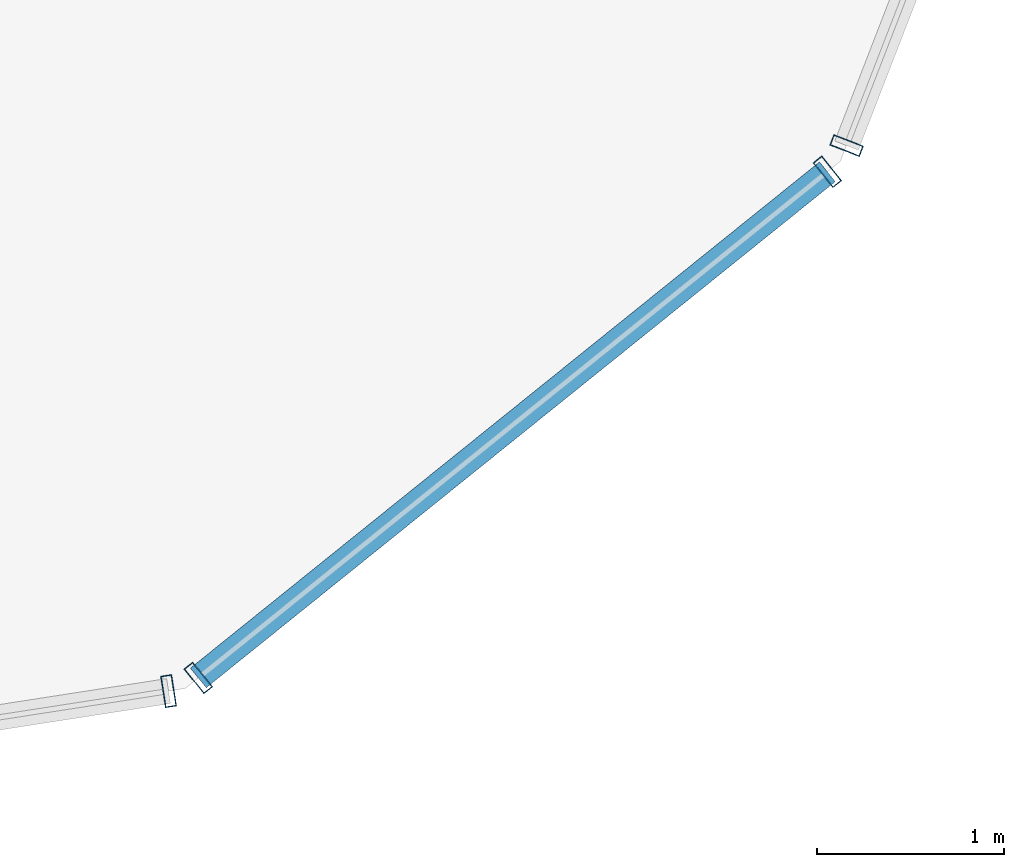
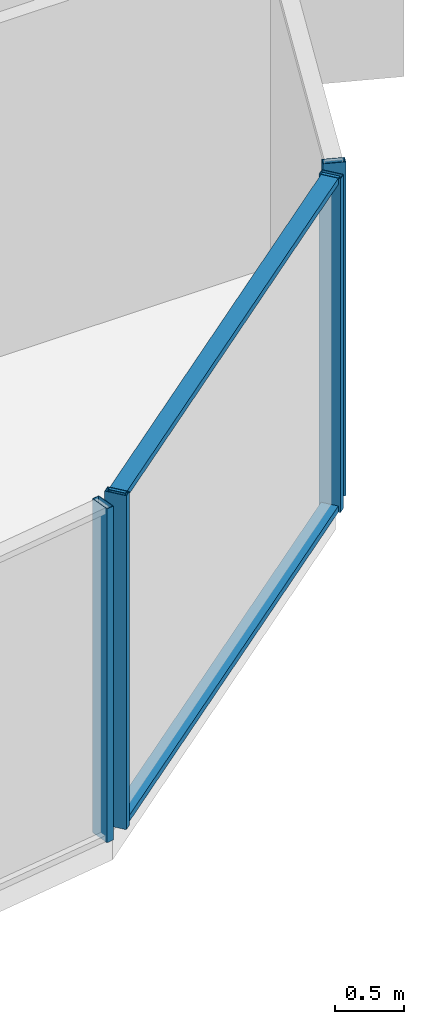
# One storey, part 14 of 37: 6 members, 3 elements without a shape of their own.
"""IFC4 building model written with IfcOpenShell, lengths in metres."""

from ifc_helpers import new_model, si_unit, direction, frame, origin, origin_2d, place, context, subcontext, project, spatial, hollow_rectangle, extrude, source, transform, mapped, material, layer, layer_set, material_profile, profile_set, type_object, element, aggregate, save


model = new_model("IFC4")

# Units and contexts
model_context = context("Model", 3, precision=1e-05, world=origin(), true_north=direction((0.0, 1.0)))
body_context = subcontext(model_context, "Body", "Model", "MODEL_VIEW")
ifc_project = project(units=[si_unit("LENGTHUNIT", "METRE"), si_unit("AREAUNIT", "SQUARE_METRE"), si_unit("VOLUMEUNIT", "CUBIC_METRE"), si_unit("PLANEANGLEUNIT", "RADIAN"), si_unit("MASSUNIT", "GRAM", prefix="KILO")], contexts=[model_context])

# Site, building, storey
site_placement = place(None, origin())
site = spatial("IfcSite", under=ifc_project, at=site_placement, CompositionType="ELEMENT")
building_placement = place(site_placement, origin())
building = spatial("IfcBuilding", under=site, at=building_placement, Name="Veraguas Prism Commons", CompositionType="ELEMENT")
storey_placement = place(building_placement, frame((0.0, 0.0, 53.300048828125)))
storey = spatial("IfcBuildingStorey", under=building, at=storey_placement, Name="L14", CompositionType="ELEMENT", Elevation=53.300048828125)

# Curtain wall, members
ifc_material = material(Name="Anodised aluminium EN AW-6063 T6", Category="aluminium")
ifc_layer = layer(ifc_material, 0.169921875, Name="Unitised Flush Curtain Wall Zone 1", Category="aluminium")
ifc_layer_set = layer_set([ifc_layer], Name="Anodised aluminium EN AW-6063 T6")
curtain_wall_type = type_object("IfcCurtainWallType", Name="Unitised Flush Curtain Wall Zone 1", PredefinedType="NOTDEFINED", material=ifc_layer_set)
curtain_wall_1_placement = place(storey_placement, origin())
curtain_wall_1 = element("IfcCurtainWall", 1, at=curtain_wall_1_placement, inside=storey, type_object=curtain_wall_type, Name="Chamfer Curtain Wall L14-C6", PredefinedType="NOTDEFINED")
ifc_material_profile_1 = material_profile(ifc_material, hollow_rectangle(XDim=0.054931640625, YDim=0.135009765625, WallThickness=0.0029296875, at=origin_2d()), Name="AL55X135X3")
ifc_profile_set_1 = profile_set([ifc_material_profile_1], Name="Anodised aluminium EN AW-6063 T6")
member_type_1 = type_object("IfcMemberType", Name="Curtain Wall Transom Standard AL 55x135x3", PredefinedType="USERDEFINED", material=ifc_profile_set_1)
shared_shape_1 = source(origin(), body_context, "Body", "SweptSolid", [
    extrude(hollow_rectangle(XDim=0.054931640625, YDim=0.135009765625, WallThickness=0.0029296875, at=origin_2d()), origin(), (0.0, 0.0, 1.0), 4.31982421875),
])
member_1_placement = place(storey_placement, frame((36.5478515625, 4.959228515625, 0.02734375), z_axis=(0.779123439027, 0.626870534288, 0.0), x_axis=(0.0, 0.0, 1.0)))
member_1 = element("IfcMember", 2, at=member_1_placement, type_object=member_type_1, Name="CW-Z1 Transom 1", ObjectType="TRANSOM", PredefinedType="USERDEFINED", context=body_context, shape_type="MappedRepresentation", body=[
    mapped(shared_shape_1, transform((0.0, 0.0, 0.0), scale=1.0)),
])
member_2_placement = place(storey_placement, frame((36.5478515625, 4.959228515625, 2.9423828125), z_axis=(0.779123439027, 0.626870534288, 0.0), x_axis=(0.0, 0.0, 1.0)))
member_2 = element("IfcMember", 3, at=member_2_placement, type_object=member_type_1, Name="CW-Z1 Transom 2", ObjectType="TRANSOM", PredefinedType="USERDEFINED", context=body_context, shape_type="MappedRepresentation", body=[
    mapped(shared_shape_1, transform((0.0, 0.0, 0.0), scale=1.0)),
])

# Curtain wall, member
curtain_wall_2_placement = place(storey_placement, origin())
curtain_wall_2 = element("IfcCurtainWall", 4, at=curtain_wall_2_placement, inside=storey, type_object=curtain_wall_type, Name="Tower Facade Curtain Wall L14-F5", PredefinedType="NOTDEFINED")
ifc_material_profile_2 = material_profile(ifc_material, hollow_rectangle(XDim=0.06005859375, YDim=0.169921875, WallThickness=0.00390625, at=origin_2d()), Name="AL60X170X4")
ifc_profile_set_2 = profile_set([ifc_material_profile_2], Name="Anodised aluminium EN AW-6063 T6")
member_type_2 = type_object("IfcMemberType", Name="Curtain Wall Mullion Lower AL 60x170x4", PredefinedType="MULLION", material=ifc_profile_set_2)
shared_shape_2 = source(origin(), body_context, "Body", "SweptSolid", [
    extrude(hollow_rectangle(XDim=0.06005859375, YDim=0.169921875, WallThickness=0.00390625, at=origin_2d()), origin(), (0.0, 0.0, 1.0), 2.969970703125),
])
member_3_placement = place(storey_placement, frame((36.388671875, 4.888916015625, 0.0), z_axis=(0.0, 0.0, 1.0), x_axis=(0.98817491911, 0.153330783737, 0.0)))
member_3 = element("IfcMember", 5, at=member_3_placement, type_object=member_type_2, Name="CW-Z1 Mullion 5", PredefinedType="MULLION", context=body_context, shape_type="MappedRepresentation", body=[
    mapped(shared_shape_2, transform((0.0, 0.0, 0.0), scale=1.0)),
])
aggregate(curtain_wall_2, [member_3])

curtain_wall_3_placement = place(storey_placement, origin())
curtain_wall_3 = element("IfcCurtainWall", 6, at=curtain_wall_3_placement, inside=storey, type_object=curtain_wall_type, Name="Tower Facade Curtain Wall L14-F6", PredefinedType="NOTDEFINED")
member_4_placement = place(storey_placement, frame((40.016357421875, 7.8076171875, 0.0), z_axis=(0.0, 0.0, 1.0), x_axis=(0.361294223355, 0.932451866946, 0.0)))
member_4 = element("IfcMember", 7, at=member_4_placement, type_object=member_type_2, Name="CW-Z1 Mullion 1", PredefinedType="MULLION", context=body_context, shape_type="MappedRepresentation", body=[
    mapped(shared_shape_2, transform((0.0, 0.0, 0.0), scale=1.0)),
])
aggregate(curtain_wall_3, [member_4])

# Member
member_5_placement = place(storey_placement, frame((36.5478515625, 4.959228515625, 0.0), z_axis=(0.0, 0.0, 1.0), x_axis=(0.779125756049, 0.626867654502, 0.0)))
member_5 = element("IfcMember", 8, at=member_5_placement, type_object=member_type_2, Name="CW-Z1 Mullion 1", PredefinedType="MULLION", context=body_context, shape_type="MappedRepresentation", body=[
    mapped(shared_shape_2, transform((0.0, 0.0, 0.0), scale=1.0)),
])

member_6_placement = place(storey_placement, frame((39.91357421875, 7.667236328125, 0.0), z_axis=(0.0, 0.0, 1.0), x_axis=(0.779125756049, 0.626867654502, 0.0)))
member_6 = element("IfcMember", 9, at=member_6_placement, type_object=member_type_2, Name="CW-Z1 Mullion 2", PredefinedType="MULLION", context=body_context, shape_type="MappedRepresentation", body=[
    mapped(shared_shape_2, transform((0.0, 0.0, 0.0), scale=1.0)),
])

aggregate(curtain_wall_1, [member_5, member_6, member_1, member_2])

save(model, "model.ifc")
